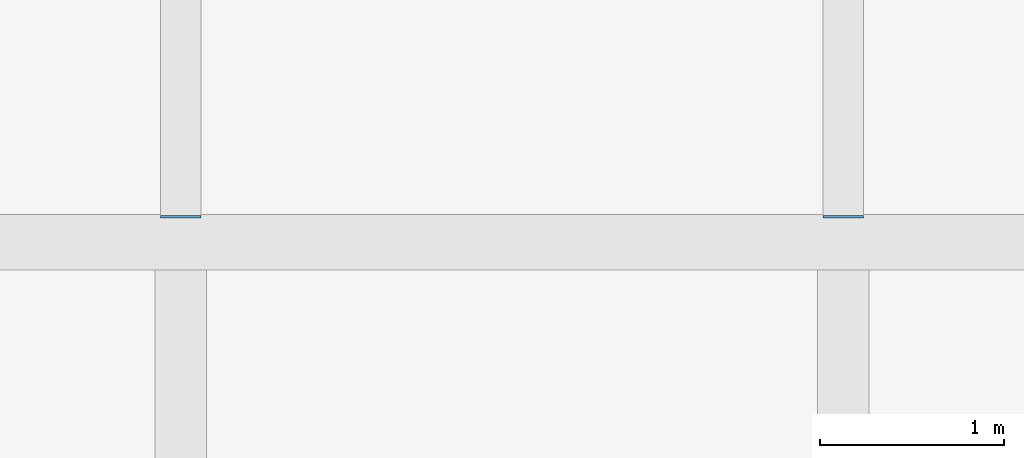
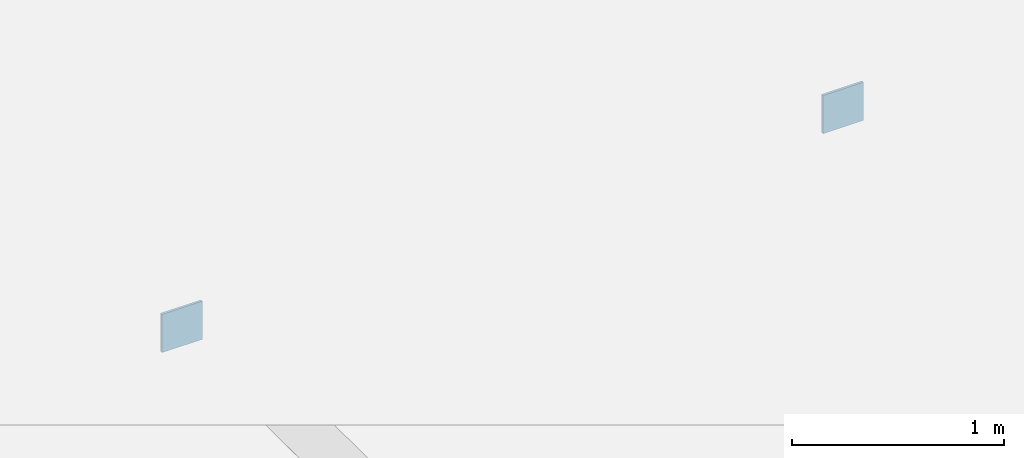
# One storey, part 67 of 92: 2 plates.
"""IFC4 building model written with IfcOpenShell, lengths in metres."""

from ifc_helpers import new_model, si_unit, direction, frame, origin, origin_2d, place, context, subcontext, project, spatial, rectangle, extrude, material, layer, layer_set, type_object, element, save


model = new_model("IFC4")

# Units and contexts
model_context = context("Model", 3, precision=1e-05, world=origin(), true_north=direction((0.0, 1.0)))
body_context = subcontext(model_context, "Body", "Model", "MODEL_VIEW")
ifc_project = project(units=[si_unit("LENGTHUNIT", "METRE"), si_unit("AREAUNIT", "SQUARE_METRE"), si_unit("VOLUMEUNIT", "CUBIC_METRE"), si_unit("PLANEANGLEUNIT", "RADIAN"), si_unit("MASSUNIT", "GRAM", prefix="KILO")], contexts=[model_context])

# Site, building, storey
site_placement = place(None, origin())
site = spatial("IfcSite", under=ifc_project, at=site_placement, CompositionType="ELEMENT")
building_placement = place(site_placement, origin())
building = spatial("IfcBuilding", under=site, at=building_placement, Name="Tasgan Crest Museum", CompositionType="ELEMENT")
storey_placement = place(building_placement, frame((0.0, 0.0, 4.800048828125)))
storey = spatial("IfcBuildingStorey", under=building, at=storey_placement, Name="L01", CompositionType="ELEMENT", Elevation=4.800048828125)

# Plates
ifc_material = material(Name="Steel S355K2", Category="steel")
ifc_layer = layer(ifc_material, 0.219970703125, Name="PL-CAP-14x220x220")
ifc_layer_set = layer_set([ifc_layer], Name="Steel S355K2")
plate_type = type_object("IfcPlateType", Name="PL-CAP-14x220x220", PredefinedType="USERDEFINED", material=ifc_layer_set)
for number, where, z_axis, x_axis, name in (
    (1, (57.60009765625, 62.137939453125, -0.4599609375), (0.0, 0.0, 1.0), (0.0, 1.0, 0.0), "End plate Secondary joist L01 X=57.6 Y=62.0-72.0 end A"),
    (2, (61.199951171875, 62.137939453125, -0.4599609375), (0.0, 0.0, 1.0), (0.0, 1.0, 0.0), "End plate Secondary joist L01 X=61.2 Y=62.0-72.0 end A"),
):
    element("IfcPlate", number, at=place(storey_placement, frame(where, z_axis=z_axis, x_axis=x_axis)), inside=storey, type_object=plate_type, Name=name, ObjectType="END PLATE", PredefinedType="USERDEFINED", context=body_context, shape_type="SweptSolid", body=[
        extrude(rectangle(XDim=0.013916015625, YDim=0.219970703125, at=origin_2d()), origin(), (0.0, 0.0, 1.0), 0.219970703125),
    ])

save(model, "model.ifc")
